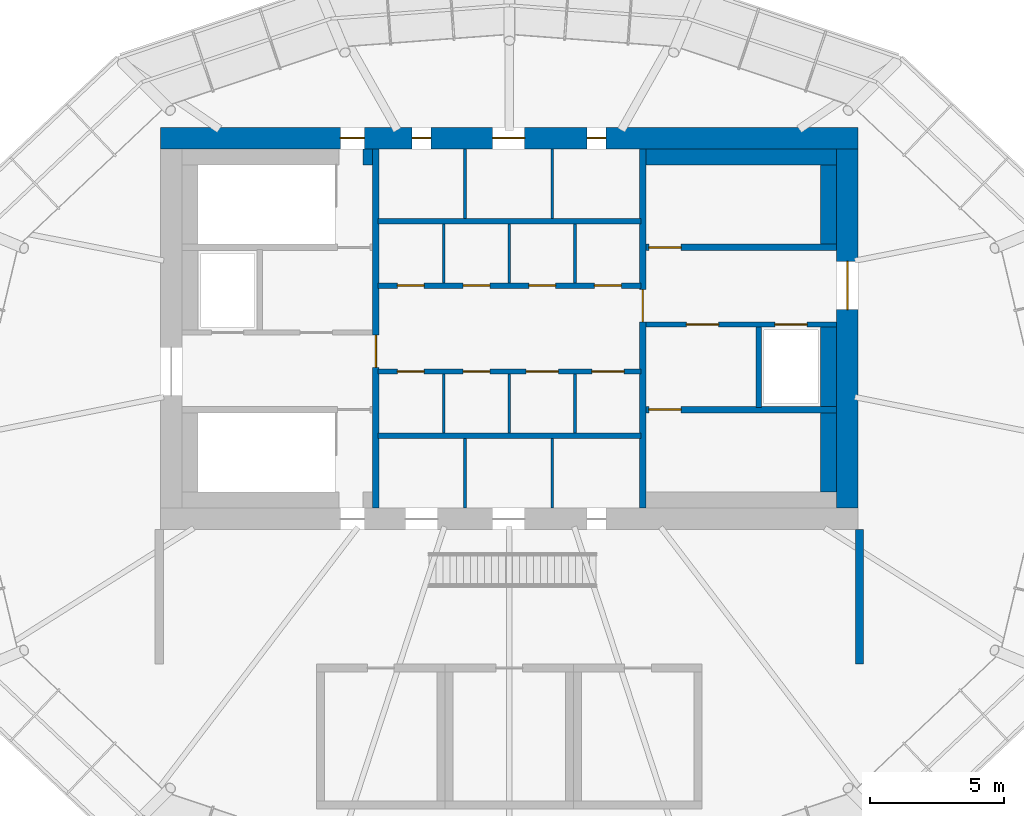
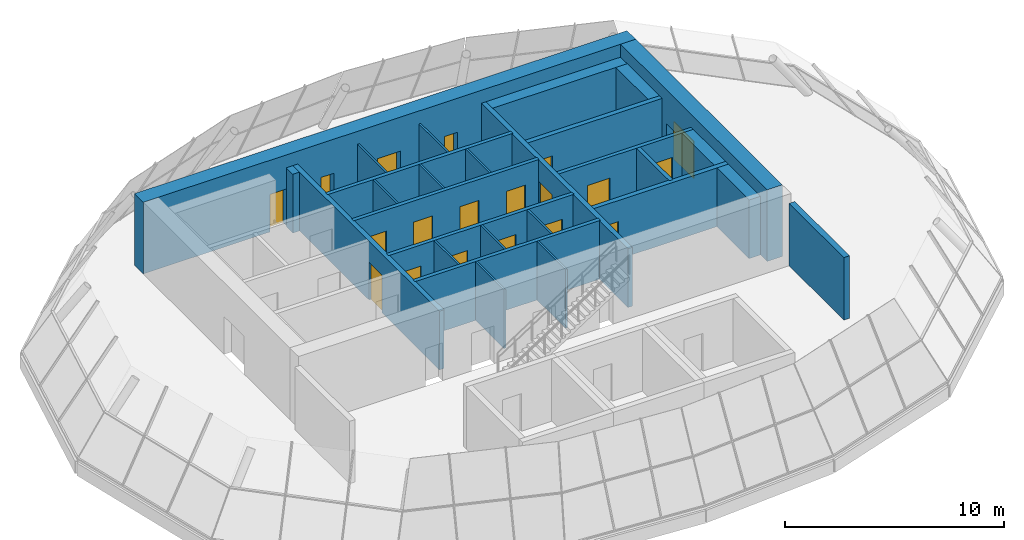
# One storey, part 6 of 8: 28 walls, 19 doors, 19 openings.
"""IFC4 building model written with IfcOpenShell, lengths in metres."""

from ifc_helpers import new_model, si_unit, direction, frame, frame_2d, origin, place, context, subcontext, project, spatial, rectangle, extrude, material, layer, layer_set, type_object, element, fill, save


model = new_model("IFC4")

# Units and contexts
model_context = context("Model", 3, precision=1e-05, world=origin(), true_north=direction((0.0, 1.0)))
body_context = subcontext(model_context, "Body", "Model", "MODEL_VIEW")
ifc_project = project(units=[si_unit("LENGTHUNIT", "METRE"), si_unit("AREAUNIT", "SQUARE_METRE"), si_unit("VOLUMEUNIT", "CUBIC_METRE"), si_unit("PLANEANGLEUNIT", "RADIAN"), si_unit("MASSUNIT", "GRAM", prefix="KILO")], contexts=[model_context])

# Site, building, storey
site_placement = place(None, origin())
site = spatial("IfcSite", under=ifc_project, at=site_placement, CompositionType="ELEMENT")
building_placement = place(site_placement, origin())
building = spatial("IfcBuilding", under=site, at=building_placement, Name="Rubra Terraces Tower", CompositionType="ELEMENT")
storey_placement = place(building_placement, frame((0.0, 0.0, 316.199951171875)))
storey = spatial("IfcBuildingStorey", under=building, at=storey_placement, Name="L78", CompositionType="ELEMENT", Elevation=316.199951171875)

# Wall, openings, doors
ifc_material_1 = material(Name="Concrete C50", Category="concrete")
ifc_layer_1 = layer(ifc_material_1, 0.800048828125)
ifc_layer_set_1 = layer_set([ifc_layer_1], Name="Concrete C50")
wall_type_1 = type_object("IfcWallType", Name="CORE WALL 800 C50", PredefinedType="SHEAR", material=ifc_layer_set_1)
wall_1_placement = place(storey_placement, frame((-13.0, 11.60009765625, 0.0), z_axis=(0.0, 0.0, 1.0), x_axis=(1.0, 0.0, 0.0)))
wall_1 = element("IfcWall", 1, at=wall_1_placement, inside=storey, type_object=wall_type_1, Name="CORE WALL N L78", PredefinedType="SHEAR", context=body_context, shape_type="SweptSolid", body=[
    extrude(rectangle(XDim=26.0, YDim=0.800048828125, at=frame_2d((13.0, 0.0))), origin(), (0.0, 0.0, 1.0), 4.0),
])
opening_1_placement = place(wall_1_placement, frame((9.375, 0.0, 0.0)))
opening_1 = element("IfcOpeningElement", 2, at=opening_1_placement, cuts=wall_1, Name="Opening L78.C24", PredefinedType="OPENING", context=body_context, shape_type="SweptSolid", body=[
    extrude(rectangle(XDim=0.699951171875, YDim=2.10009765625, at=frame_2d((0.35009765625, 1.050048828125))), frame((0.0, 0.409912109375, 0.0), z_axis=(0.0, -1.0, 0.0), x_axis=(1.0, 0.0, 0.0)), (0.0, 0.0, 1.0), 0.820068359375),
])
opening_2_placement = place(wall_1_placement, frame((12.375, 0.0, 0.0)))
opening_2 = element("IfcOpeningElement", 3, at=opening_2_placement, cuts=wall_1, Name="Opening L78.C25", PredefinedType="OPENING", context=body_context, shape_type="SweptSolid", body=[
    extrude(rectangle(XDim=1.199951171875, YDim=2.10009765625, at=frame_2d((0.60009765625, 1.050048828125))), frame((0.0, 0.409912109375, 0.0), z_axis=(0.0, -1.0, 0.0), x_axis=(1.0, 0.0, 0.0)), (0.0, 0.0, 1.0), 0.820068359375),
])
opening_3_placement = place(wall_1_placement, frame((15.89990234375, 0.0, 0.0)))
opening_3 = element("IfcOpeningElement", 4, at=opening_3_placement, cuts=wall_1, Name="Opening L78.C26", PredefinedType="OPENING", context=body_context, shape_type="SweptSolid", body=[
    extrude(rectangle(XDim=0.699951171875, YDim=2.10009765625, at=frame_2d((0.35009765625, 1.050048828125))), frame((0.0, 0.409912109375, 0.0), z_axis=(0.0, -1.0, 0.0), x_axis=(1.0, 0.0, 0.0)), (0.0, 0.0, 1.0), 0.820068359375),
])
opening_4_placement = place(wall_1_placement, frame((6.699951171875, 0.0, 0.0)))
opening_4 = element("IfcOpeningElement", 5, at=opening_4_placement, cuts=wall_1, Name="Opening L78.P05", PredefinedType="OPENING", context=body_context, shape_type="SweptSolid", body=[
    extrude(rectangle(XDim=0.89990234375, YDim=2.10009765625, at=frame_2d((0.449951171875, 1.050048828125))), frame((0.0, 0.409912109375, 0.0), z_axis=(0.0, -1.0, 0.0), x_axis=(1.0, 0.0, 0.0)), (0.0, 0.0, 1.0), 0.820068359375),
])
ifc_material_2 = material(Name="Painted steel", Category="steel")
door_type_1 = type_object("IfcDoorType", Name="Fire door 1200x2100 single", OperationType="NOTDEFINED", PredefinedType="DOOR", material=ifc_material_2)
door_1_placement = place(opening_2_placement, origin())
door_1 = element("IfcDoor", 6, at=door_1_placement, inside=storey, type_object=door_type_1, Name="Air handling plant room door", OperationType="SINGLE_SWING_LEFT", OverallHeight=2.10009765625, OverallWidth=1.199951171875, PredefinedType="DOOR", context=body_context, shape_type="SweptSolid", body=[
    extrude(rectangle(XDim=1.199951171875, YDim=2.10009765625, at=frame_2d((0.60009765625, 1.050048828125))), frame((0.0, 0.02490234375, 0.0), z_axis=(0.0, -1.0, 0.0), x_axis=(1.0, 0.0, 0.0)), (0.0, 0.0, 1.0), 0.050048828125),
])
fill(opening_2, door_1)
door_type_2 = type_object("IfcDoorType", Name="Fire door 900x2100 single", OperationType="NOTDEFINED", PredefinedType="DOOR", material=ifc_material_2)
door_2_placement = place(opening_4_placement, origin())
door_2 = element("IfcDoor", 7, at=door_2_placement, inside=storey, type_object=door_type_2, Name="Stair S2 door from the plant access passage", OperationType="SINGLE_SWING_LEFT", OverallHeight=2.10009765625, OverallWidth=0.89990234375, PredefinedType="DOOR", context=body_context, shape_type="SweptSolid", body=[
    extrude(rectangle(XDim=0.89990234375, YDim=2.10009765625, at=frame_2d((0.449951171875, 1.050048828125))), frame((0.0, 0.02490234375, 0.0), z_axis=(0.0, -1.0, 0.0), x_axis=(1.0, 0.0, 0.0)), (0.0, 0.0, 1.0), 0.050048828125),
])
fill(opening_4, door_2)
door_type_3 = type_object("IfcDoorType", Name="Riser access door 700x2100 single", OperationType="NOTDEFINED", PredefinedType="DOOR", material=ifc_material_2)
door_3_placement = place(opening_1_placement, origin())
door_3 = element("IfcDoor", 8, at=door_3_placement, inside=storey, type_object=door_type_3, Name="Telecoms room door", OperationType="SINGLE_SWING_RIGHT", OverallHeight=2.10009765625, OverallWidth=0.699951171875, PredefinedType="DOOR", context=body_context, shape_type="SweptSolid", body=[
    extrude(rectangle(XDim=0.699951171875, YDim=2.10009765625, at=frame_2d((0.35009765625, 1.050048828125))), frame((0.0, 0.02490234375, 0.0), z_axis=(0.0, -1.0, 0.0), x_axis=(1.0, 0.0, 0.0)), (0.0, 0.0, 1.0), 0.050048828125),
])
fill(opening_1, door_3)
door_4_placement = place(opening_3_placement, origin())
door_4 = element("IfcDoor", 9, at=door_4_placement, inside=storey, type_object=door_type_3, Name="Electrical riser room door", OperationType="SINGLE_SWING_RIGHT", OverallHeight=2.10009765625, OverallWidth=0.699951171875, PredefinedType="DOOR", context=body_context, shape_type="SweptSolid", body=[
    extrude(rectangle(XDim=0.699951171875, YDim=2.10009765625, at=frame_2d((0.35009765625, 1.050048828125))), frame((0.0, 0.02490234375, 0.0), z_axis=(0.0, -1.0, 0.0), x_axis=(1.0, 0.0, 0.0)), (0.0, 0.0, 1.0), 0.050048828125),
])
fill(opening_3, door_4)

# Wall, opening, door
wall_2_placement = place(storey_placement, frame((12.60009765625, -2.199951171875, 0.0), z_axis=(0.0, 0.0, 1.0), x_axis=(0.0, 1.0, 0.0)))
wall_2 = element("IfcWall", 10, at=wall_2_placement, inside=storey, type_object=wall_type_1, Name="CORE WALL E L78", PredefinedType="SHEAR", context=body_context, shape_type="SweptSolid", body=[
    extrude(rectangle(XDim=13.39990234375, YDim=0.800048828125, at=frame_2d((6.699951171875, 0.0))), origin(), (0.0, 0.0, 1.0), 4.0),
])
opening_5_placement = place(wall_2_placement, frame((7.39990234375, 0.0, 0.0)))
opening_5 = element("IfcOpeningElement", 11, at=opening_5_placement, cuts=wall_2, Name="Opening L78.C02", PredefinedType="OPENING", context=body_context, shape_type="SweptSolid", body=[
    extrude(rectangle(XDim=1.800048828125, YDim=2.10009765625, at=frame_2d((0.89990234375, 1.050048828125))), frame((0.0, 0.409912109375, 0.0), z_axis=(0.0, -1.0, 0.0), x_axis=(1.0, 0.0, 0.0)), (0.0, 0.0, 1.0), 0.820068359375),
])
door_type_4 = type_object("IfcDoorType", Name="Fire door 1800x2100 double", OperationType="NOTDEFINED", PredefinedType="DOOR", material=ifc_material_2)
door_5_placement = place(opening_5_placement, origin())
door_5 = element("IfcDoor", 12, at=door_5_placement, inside=storey, type_object=door_type_4, Name="Core entrance door FF2", OperationType="DOUBLE_DOOR_SINGLE_SWING", OverallHeight=2.10009765625, OverallWidth=1.800048828125, PredefinedType="DOOR", context=body_context, shape_type="SweptSolid", body=[
    extrude(rectangle(XDim=1.800048828125, YDim=2.10009765625, at=frame_2d((0.89990234375, 1.050048828125))), frame((0.0, 0.02490234375, 0.0), z_axis=(0.0, -1.0, 0.0), x_axis=(1.0, 0.0, 0.0)), (0.0, 0.0, 1.0), 0.050048828125),
])
fill(opening_5, door_5)

# Walls
ifc_material_3 = material(Name="Concrete C40", Category="concrete")
ifc_layer_2 = layer(ifc_material_3, 0.35009765625)
ifc_layer_set_2 = layer_set([ifc_layer_2], Name="Concrete C40")
wall_type_2 = type_object("IfcWallType", Name="Core lining wall 350 concrete", PredefinedType="SOLIDWALL", material=ifc_layer_set_2)
wall_3_placement = place(storey_placement, frame((-5.27490234375, 10.60009765625, 0.0), z_axis=(0.0, 0.0, 1.0), x_axis=(0.0, 1.0, 0.0)))
element("IfcWall", 13, at=wall_3_placement, inside=storey, type_object=wall_type_2, Name="CORE LINING WALL L78", PredefinedType="SOLIDWALL", context=body_context, shape_type="SweptSolid", body=[
    extrude(rectangle(XDim=0.599853515625, YDim=0.35009765625, at=frame_2d((0.2998046875, 0.0))), origin(), (0.0, 0.0, 1.0), 3.280029296875),
])
ifc_layer_3 = layer(ifc_material_3, 0.60009765625)
ifc_layer_set_3 = layer_set([ifc_layer_3], Name="Concrete C40")
wall_type_3 = type_object("IfcWallType", Name="Core lining wall 600 concrete", PredefinedType="SOLIDWALL", material=ifc_layer_set_3)
wall_4_placement = place(storey_placement, frame((12.199951171875, 10.89990234375, 0.0), z_axis=(0.0, 0.0, 1.0), x_axis=(-1.0, 0.0, 0.0)))
element("IfcWall", 14, at=wall_4_placement, inside=storey, type_object=wall_type_3, Name="CORE LINING WALL L78", PredefinedType="SOLIDWALL", context=body_context, shape_type="SweptSolid", body=[
    extrude(rectangle(XDim=7.099853515625, YDim=0.60009765625, at=frame_2d((3.5498046875, 0.0))), origin(), (0.0, 0.0, 1.0), 3.280029296875),
])
wall_5_placement = place(storey_placement, frame((11.89990234375, 10.60009765625, 0.0), z_axis=(0.0, 0.0, 1.0), x_axis=(0.0, -1.0, 0.0)))
element("IfcWall", 15, at=wall_5_placement, inside=storey, type_object=wall_type_3, Name="CORE LINING WALL L78", PredefinedType="SOLIDWALL", context=body_context, shape_type="SweptSolid", body=[
    extrude(rectangle(XDim=2.9501953125, YDim=0.60009765625, at=frame_2d((1.47509765625, 0.0))), origin(), (0.0, 0.0, 1.0), 3.280029296875),
])
wall_6_placement = place(storey_placement, frame((11.89990234375, 4.550048828125, 0.0), z_axis=(0.0, 0.0, 1.0), x_axis=(0.0, -1.0, 0.0)))
element("IfcWall", 16, at=wall_6_placement, inside=storey, type_object=wall_type_3, Name="CORE LINING WALL L78", PredefinedType="SOLIDWALL", context=body_context, shape_type="SweptSolid", body=[
    extrude(rectangle(XDim=3.0, YDim=0.60009765625, at=frame_2d((1.5, 0.0))), origin(), (0.0, 0.0, 1.0), 3.280029296875),
])
wall_7_placement = place(storey_placement, frame((11.89990234375, 1.35009765625, 0.0), z_axis=(0.0, 0.0, 1.0), x_axis=(0.0, -1.0, 0.0)))
element("IfcWall", 17, at=wall_7_placement, inside=storey, type_object=wall_type_3, Name="CORE LINING WALL L78", PredefinedType="SOLIDWALL", context=body_context, shape_type="SweptSolid", body=[
    extrude(rectangle(XDim=2.9501953125, YDim=0.60009765625, at=frame_2d((1.47509765625, 0.0))), origin(), (0.0, 0.0, 1.0), 3.280029296875),
])

# Wall, openings, doors
ifc_material_4 = material(Name="Concrete C30", Category="concrete")
ifc_layer_4 = layer(ifc_material_4, 0.199951171875)
ifc_layer_set_4 = layer_set([ifc_layer_4], Name="Concrete C30")
wall_type_4 = type_object("IfcWallType", Name="Core wall 200 concrete", PredefinedType="SOLIDWALL", material=ifc_layer_set_4)
wall_8_placement = place(storey_placement, frame((12.199951171875, 4.64990234375, 0.0), z_axis=(0.0, 0.0, 1.0), x_axis=(-1.0, 0.0, 0.0)))
wall_8 = element("IfcWall", 18, at=wall_8_placement, inside=storey, type_object=wall_type_4, Name="STAIR WALL L78", PredefinedType="SOLIDWALL", context=body_context, shape_type="SweptSolid", body=[
    extrude(rectangle(XDim=7.099853515625, YDim=0.199951171875, at=frame_2d((3.5498046875, 0.0))), origin(), (0.0, 0.0, 1.0), 3.280029296875),
])
opening_6_placement = place(wall_8_placement, frame((4.39990234375, 0.0, 0.0)))
opening_6 = element("IfcOpeningElement", 19, at=opening_6_placement, cuts=wall_8, Name="Opening L78.C06", PredefinedType="OPENING", context=body_context, shape_type="SweptSolid", body=[
    extrude(rectangle(XDim=1.199951171875, YDim=2.10009765625, at=frame_2d((0.60009765625, 1.050048828125))), frame((0.0, 0.10986328125, 0.0), z_axis=(0.0, -1.0, 0.0), x_axis=(1.0, 0.0, 0.0)), (0.0, 0.0, 1.0), 0.219970703125),
])
opening_7_placement = place(wall_8_placement, frame((1.10009765625, 0.0, 0.0)))
opening_7 = element("IfcOpeningElement", 20, at=opening_7_placement, cuts=wall_8, Name="Opening L78.C12", PredefinedType="OPENING", context=body_context, shape_type="SweptSolid", body=[
    extrude(rectangle(XDim=1.199951171875, YDim=2.10009765625, at=frame_2d((0.60009765625, 1.050048828125))), frame((0.0, 0.10986328125, 0.0), z_axis=(0.0, -1.0, 0.0), x_axis=(1.0, 0.0, 0.0)), (0.0, 0.0, 1.0), 0.219970703125),
])
door_6_placement = place(opening_6_placement, origin())
door_6 = element("IfcDoor", 21, at=door_6_placement, inside=storey, type_object=door_type_1, Name="Stair vestibule door S4", OperationType="SINGLE_SWING_RIGHT", OverallHeight=2.10009765625, OverallWidth=1.199951171875, PredefinedType="DOOR", context=body_context, shape_type="SweptSolid", body=[
    extrude(rectangle(XDim=1.199951171875, YDim=2.10009765625, at=frame_2d((0.60009765625, 1.050048828125))), frame((0.0, 0.02490234375, 0.0), z_axis=(0.0, -1.0, 0.0), x_axis=(1.0, 0.0, 0.0)), (0.0, 0.0, 1.0), 0.050048828125),
])
fill(opening_6, door_6)
ifc_material_5 = material(Name="Stainless steel", Category="steel")
door_type_5 = type_object("IfcDoorType", Name="Lift landing door 1200x2100", OperationType="NOTDEFINED", PredefinedType="DOOR", material=ifc_material_5)
door_7_placement = place(opening_7_placement, origin())
door_7 = element("IfcDoor", 22, at=door_7_placement, inside=storey, type_object=door_type_5, Name="Landing door FF2", OperationType="SLIDING_TO_RIGHT", OverallHeight=2.10009765625, OverallWidth=1.199951171875, PredefinedType="DOOR", context=body_context, shape_type="SweptSolid", body=[
    extrude(rectangle(XDim=1.199951171875, YDim=2.10009765625, at=frame_2d((0.60009765625, 1.050048828125))), frame((0.0, 0.02490234375, 0.0), z_axis=(0.0, -1.0, 0.0), x_axis=(1.0, 0.0, 0.0)), (0.0, 0.0, 1.0), 0.050048828125),
])
fill(opening_7, door_7)

# Walls
wall_9_placement = place(storey_placement, frame((9.300048828125, 4.550048828125, 0.0), z_axis=(0.0, 0.0, 1.0), x_axis=(0.0, -1.0, 0.0)))
element("IfcWall", 23, at=wall_9_placement, inside=storey, type_object=wall_type_4, Name="STAIR WALL L78", PredefinedType="SOLIDWALL", context=body_context, shape_type="SweptSolid", body=[
    extrude(rectangle(XDim=3.0, YDim=0.199951171875, at=frame_2d((1.5, 0.0))), origin(), (0.0, 0.0, 1.0), 3.280029296875),
])
wall_10_placement = place(storey_placement, frame((-4.89990234375, 0.5, 0.0), z_axis=(0.0, 0.0, 1.0), x_axis=(1.0, 0.0, 0.0)))
element("IfcWall", 24, at=wall_10_placement, inside=storey, type_object=wall_type_4, Name="LIFT SHAFT WALL L78", PredefinedType="SOLIDWALL", context=body_context, shape_type="SweptSolid", body=[
    extrude(rectangle(XDim=9.7998046875, YDim=0.199951171875, at=frame_2d((4.89990234375, 0.0))), origin(), (0.0, 0.0, 1.0), 3.280029296875),
])

# Wall, openings, doors
wall_11_placement = place(storey_placement, frame((-4.89990234375, 2.89990234375, 0.0), z_axis=(0.0, 0.0, 1.0), x_axis=(1.0, 0.0, 0.0)))
wall_11 = element("IfcWall", 25, at=wall_11_placement, inside=storey, type_object=wall_type_4, Name="LIFT SHAFT WALL L78", PredefinedType="SOLIDWALL", context=body_context, shape_type="SweptSolid", body=[
    extrude(rectangle(XDim=9.7998046875, YDim=0.199951171875, at=frame_2d((4.89990234375, 0.0))), origin(), (0.0, 0.0, 1.0), 3.280029296875),
])
opening_8_placement = place(wall_11_placement, frame((0.72509765625, 0.0, 0.0)))
opening_8 = element("IfcOpeningElement", 26, at=opening_8_placement, cuts=wall_11, Name="Opening L78.C13", PredefinedType="OPENING", context=body_context, shape_type="SweptSolid", body=[
    extrude(rectangle(XDim=1.0, YDim=2.10009765625, at=frame_2d((0.5, 1.050048828125))), frame((0.0, 0.10986328125, 0.0), z_axis=(0.0, -1.0, 0.0), x_axis=(1.0, 0.0, 0.0)), (0.0, 0.0, 1.0), 0.219970703125),
])
opening_9_placement = place(wall_11_placement, frame((3.175048828125, 0.0, 0.0)))
opening_9 = element("IfcOpeningElement", 27, at=opening_9_placement, cuts=wall_11, Name="Opening L78.C14", PredefinedType="OPENING", context=body_context, shape_type="SweptSolid", body=[
    extrude(rectangle(XDim=1.0, YDim=2.10009765625, at=frame_2d((0.5, 1.050048828125))), frame((0.0, 0.10986328125, 0.0), z_axis=(0.0, -1.0, 0.0), x_axis=(1.0, 0.0, 0.0)), (0.0, 0.0, 1.0), 0.219970703125),
])
opening_10_placement = place(wall_11_placement, frame((5.52490234375, 0.0, 0.0)))
opening_10 = element("IfcOpeningElement", 28, at=opening_10_placement, cuts=wall_11, Name="Opening L78.C15", PredefinedType="OPENING", context=body_context, shape_type="SweptSolid", body=[
    extrude(rectangle(XDim=1.199951171875, YDim=2.10009765625, at=frame_2d((0.60009765625, 1.050048828125))), frame((0.0, 0.10986328125, 0.0), z_axis=(0.0, -1.0, 0.0), x_axis=(1.0, 0.0, 0.0)), (0.0, 0.0, 1.0), 0.219970703125),
])
opening_11_placement = place(wall_11_placement, frame((7.97509765625, 0.0, 0.0)))
opening_11 = element("IfcOpeningElement", 29, at=opening_11_placement, cuts=wall_11, Name="Opening L78.C16", PredefinedType="OPENING", context=body_context, shape_type="SweptSolid", body=[
    extrude(rectangle(XDim=1.199951171875, YDim=2.10009765625, at=frame_2d((0.60009765625, 1.050048828125))), frame((0.0, 0.10986328125, 0.0), z_axis=(0.0, -1.0, 0.0), x_axis=(1.0, 0.0, 0.0)), (0.0, 0.0, 1.0), 0.219970703125),
])
door_type_6 = type_object("IfcDoorType", Name="Fire door 1000x2100 single", OperationType="NOTDEFINED", PredefinedType="DOOR", material=ifc_material_2)
door_8_placement = place(opening_8_placement, origin())
door_8 = element("IfcDoor", 30, at=door_8_placement, inside=storey, type_object=door_type_6, Name="Lift motor room door", OperationType="SINGLE_SWING_LEFT", OverallHeight=2.10009765625, OverallWidth=1.0, PredefinedType="DOOR", context=body_context, shape_type="SweptSolid", body=[
    extrude(rectangle(XDim=1.0, YDim=2.10009765625, at=frame_2d((0.5, 1.050048828125))), frame((0.0, 0.02490234375, 0.0), z_axis=(0.0, -1.0, 0.0), x_axis=(1.0, 0.0, 0.0)), (0.0, 0.0, 1.0), 0.050048828125),
])
fill(opening_8, door_8)
door_9_placement = place(opening_9_placement, origin())
door_9 = element("IfcDoor", 31, at=door_9_placement, inside=storey, type_object=door_type_6, Name="Lift motor room door", OperationType="SINGLE_SWING_RIGHT", OverallHeight=2.10009765625, OverallWidth=1.0, PredefinedType="DOOR", context=body_context, shape_type="SweptSolid", body=[
    extrude(rectangle(XDim=1.0, YDim=2.10009765625, at=frame_2d((0.5, 1.050048828125))), frame((0.0, 0.02490234375, 0.0), z_axis=(0.0, -1.0, 0.0), x_axis=(1.0, 0.0, 0.0)), (0.0, 0.0, 1.0), 0.050048828125),
])
fill(opening_9, door_9)
door_10_placement = place(opening_10_placement, origin())
door_10 = element("IfcDoor", 32, at=door_10_placement, inside=storey, type_object=door_type_1, Name="Air handling plant room door", OperationType="SINGLE_SWING_LEFT", OverallHeight=2.10009765625, OverallWidth=1.199951171875, PredefinedType="DOOR", context=body_context, shape_type="SweptSolid", body=[
    extrude(rectangle(XDim=1.199951171875, YDim=2.10009765625, at=frame_2d((0.60009765625, 1.050048828125))), frame((0.0, 0.02490234375, 0.0), z_axis=(0.0, -1.0, 0.0), x_axis=(1.0, 0.0, 0.0)), (0.0, 0.0, 1.0), 0.050048828125),
])
fill(opening_10, door_10)
door_11_placement = place(opening_11_placement, origin())
door_11 = element("IfcDoor", 33, at=door_11_placement, inside=storey, type_object=door_type_1, Name="Air handling plant room door", OperationType="SINGLE_SWING_RIGHT", OverallHeight=2.10009765625, OverallWidth=1.199951171875, PredefinedType="DOOR", context=body_context, shape_type="SweptSolid", body=[
    extrude(rectangle(XDim=1.199951171875, YDim=2.10009765625, at=frame_2d((0.60009765625, 1.050048828125))), frame((0.0, 0.02490234375, 0.0), z_axis=(0.0, -1.0, 0.0), x_axis=(1.0, 0.0, 0.0)), (0.0, 0.0, 1.0), 0.050048828125),
])
fill(opening_11, door_11)

wall_12_placement = place(storey_placement, frame((-4.89990234375, 6.10009765625, 0.0), z_axis=(0.0, 0.0, 1.0), x_axis=(1.0, 0.0, 0.0)))
wall_12 = element("IfcWall", 34, at=wall_12_placement, inside=storey, type_object=wall_type_4, Name="LIFT SHAFT WALL L78", PredefinedType="SOLIDWALL", context=body_context, shape_type="SweptSolid", body=[
    extrude(rectangle(XDim=9.7998046875, YDim=0.199951171875, at=frame_2d((4.89990234375, 0.0))), origin(), (0.0, 0.0, 1.0), 3.280029296875),
])
opening_12_placement = place(wall_12_placement, frame((0.72509765625, 0.0, 0.0)))
opening_12 = element("IfcOpeningElement", 35, at=opening_12_placement, cuts=wall_12, Name="Opening L78.C17", PredefinedType="OPENING", context=body_context, shape_type="SweptSolid", body=[
    extrude(rectangle(XDim=1.0, YDim=2.10009765625, at=frame_2d((0.5, 1.050048828125))), frame((0.0, 0.10986328125, 0.0), z_axis=(0.0, -1.0, 0.0), x_axis=(1.0, 0.0, 0.0)), (0.0, 0.0, 1.0), 0.219970703125),
])
opening_13_placement = place(wall_12_placement, frame((3.175048828125, 0.0, 0.0)))
opening_13 = element("IfcOpeningElement", 36, at=opening_13_placement, cuts=wall_12, Name="Opening L78.C18", PredefinedType="OPENING", context=body_context, shape_type="SweptSolid", body=[
    extrude(rectangle(XDim=1.0, YDim=2.10009765625, at=frame_2d((0.5, 1.050048828125))), frame((0.0, 0.10986328125, 0.0), z_axis=(0.0, -1.0, 0.0), x_axis=(1.0, 0.0, 0.0)), (0.0, 0.0, 1.0), 0.219970703125),
])
opening_14_placement = place(wall_12_placement, frame((5.625, 0.0, 0.0)))
opening_14 = element("IfcOpeningElement", 37, at=opening_14_placement, cuts=wall_12, Name="Opening L78.C19", PredefinedType="OPENING", context=body_context, shape_type="SweptSolid", body=[
    extrude(rectangle(XDim=1.0, YDim=2.10009765625, at=frame_2d((0.5, 1.050048828125))), frame((0.0, 0.10986328125, 0.0), z_axis=(0.0, -1.0, 0.0), x_axis=(1.0, 0.0, 0.0)), (0.0, 0.0, 1.0), 0.219970703125),
])
opening_15_placement = place(wall_12_placement, frame((8.074951171875, 0.0, 0.0)))
opening_15 = element("IfcOpeningElement", 38, at=opening_15_placement, cuts=wall_12, Name="Opening L78.C20", PredefinedType="OPENING", context=body_context, shape_type="SweptSolid", body=[
    extrude(rectangle(XDim=1.0, YDim=2.10009765625, at=frame_2d((0.5, 1.050048828125))), frame((0.0, 0.10986328125, 0.0), z_axis=(0.0, -1.0, 0.0), x_axis=(1.0, 0.0, 0.0)), (0.0, 0.0, 1.0), 0.219970703125),
])
door_12_placement = place(opening_12_placement, origin())
door_12 = element("IfcDoor", 39, at=door_12_placement, inside=storey, type_object=door_type_6, Name="Lift motor room door", OperationType="SINGLE_SWING_LEFT", OverallHeight=2.10009765625, OverallWidth=1.0, PredefinedType="DOOR", context=body_context, shape_type="SweptSolid", body=[
    extrude(rectangle(XDim=1.0, YDim=2.10009765625, at=frame_2d((0.5, 1.050048828125))), frame((0.0, 0.02490234375, 0.0), z_axis=(0.0, -1.0, 0.0), x_axis=(1.0, 0.0, 0.0)), (0.0, 0.0, 1.0), 0.050048828125),
])
fill(opening_12, door_12)
door_13_placement = place(opening_13_placement, origin())
door_13 = element("IfcDoor", 40, at=door_13_placement, inside=storey, type_object=door_type_6, Name="Lift motor room door", OperationType="SINGLE_SWING_RIGHT", OverallHeight=2.10009765625, OverallWidth=1.0, PredefinedType="DOOR", context=body_context, shape_type="SweptSolid", body=[
    extrude(rectangle(XDim=1.0, YDim=2.10009765625, at=frame_2d((0.5, 1.050048828125))), frame((0.0, 0.02490234375, 0.0), z_axis=(0.0, -1.0, 0.0), x_axis=(1.0, 0.0, 0.0)), (0.0, 0.0, 1.0), 0.050048828125),
])
fill(opening_13, door_13)
door_14_placement = place(opening_14_placement, origin())
door_14 = element("IfcDoor", 41, at=door_14_placement, inside=storey, type_object=door_type_6, Name="Lift motor room door", OperationType="SINGLE_SWING_LEFT", OverallHeight=2.10009765625, OverallWidth=1.0, PredefinedType="DOOR", context=body_context, shape_type="SweptSolid", body=[
    extrude(rectangle(XDim=1.0, YDim=2.10009765625, at=frame_2d((0.5, 1.050048828125))), frame((0.0, 0.02490234375, 0.0), z_axis=(0.0, -1.0, 0.0), x_axis=(1.0, 0.0, 0.0)), (0.0, 0.0, 1.0), 0.050048828125),
])
fill(opening_14, door_14)
door_15_placement = place(opening_15_placement, origin())
door_15 = element("IfcDoor", 42, at=door_15_placement, inside=storey, type_object=door_type_6, Name="Lift motor room door", OperationType="SINGLE_SWING_RIGHT", OverallHeight=2.10009765625, OverallWidth=1.0, PredefinedType="DOOR", context=body_context, shape_type="SweptSolid", body=[
    extrude(rectangle(XDim=1.0, YDim=2.10009765625, at=frame_2d((0.5, 1.050048828125))), frame((0.0, 0.02490234375, 0.0), z_axis=(0.0, -1.0, 0.0), x_axis=(1.0, 0.0, 0.0)), (0.0, 0.0, 1.0), 0.050048828125),
])
fill(opening_15, door_15)

# Walls
wall_13_placement = place(storey_placement, frame((-4.89990234375, 8.5, 0.0), z_axis=(0.0, 0.0, 1.0), x_axis=(1.0, 0.0, 0.0)))
element("IfcWall", 43, at=wall_13_placement, inside=storey, type_object=wall_type_4, Name="LIFT SHAFT WALL L78", PredefinedType="SOLIDWALL", context=body_context, shape_type="SweptSolid", body=[
    extrude(rectangle(XDim=9.7998046875, YDim=0.199951171875, at=frame_2d((4.89990234375, 0.0))), origin(), (0.0, 0.0, 1.0), 3.280029296875),
])
ifc_material_6 = material(Name="Blockwork", Category="masonry")
ifc_layer_5 = layer(ifc_material_6, 0.300048828125)
ifc_layer_set_5 = layer_set([ifc_layer_5], Name="Blockwork")
wall_type_5 = type_object("IfcWallType", Name="Plant wall 300 blockwork", PredefinedType="SOLIDWALL", material=ifc_layer_set_5)
wall_14_placement = place(storey_placement, frame((13.050048828125, -8.0, 0.0), z_axis=(0.0, 0.0, 1.0), x_axis=(0.0, 1.0, 0.0)))
element("IfcWall", 44, at=wall_14_placement, inside=storey, type_object=wall_type_5, Name="PLANT CORRIDOR WALL L78", PredefinedType="SOLIDWALL", context=body_context, shape_type="SweptSolid", body=[
    extrude(rectangle(XDim=5.0, YDim=0.300048828125, at=frame_2d((2.5, 0.0))), origin(), (0.0, 0.0, 1.0), 3.484130859375),
])
ifc_layer_6 = layer(ifc_material_6, 0.10009765625)
ifc_layer_set_6 = layer_set([ifc_layer_6], Name="Blockwork")
wall_type_6 = type_object("IfcWallType", Name="Service partition 100 blockwork", PredefinedType="PARTITIONING", material=ifc_layer_set_6)
for number, where, z_axis, x_axis, name in (
    (45, (-2.449951171875, 0.60009765625, 0.0), (0.0, 0.0, 1.0), (0.0, 1.0, 0.0), "LIFT SHAFT WALL L78"),
    (46, (0.0, 0.60009765625, 0.0), (0.0, 0.0, 1.0), (0.0, 1.0, 0.0), "LIFT SHAFT WALL L78"),
    (47, (2.449951171875, 0.60009765625, 0.0), (0.0, 0.0, 1.0), (0.0, 1.0, 0.0), "LIFT SHAFT WALL L78"),
    (48, (-2.449951171875, 6.199951171875, 0.0), (0.0, 0.0, 1.0), (0.0, 1.0, 0.0), "LIFT SHAFT WALL L78"),
    (49, (0.0, 6.199951171875, 0.0), (0.0, 0.0, 1.0), (0.0, 1.0, 0.0), "LIFT SHAFT WALL L78"),
    (50, (2.449951171875, 6.199951171875, 0.0), (0.0, 0.0, 1.0), (0.0, 1.0, 0.0), "LIFT SHAFT WALL L78"),
):
    element("IfcWall", number, at=place(storey_placement, frame(where, z_axis=z_axis, x_axis=x_axis)), inside=storey, type_object=wall_type_6, Name=name, PredefinedType="PARTITIONING", context=body_context, shape_type="SweptSolid", body=[
        extrude(rectangle(XDim=2.199951171875, YDim=0.10009765625, at=frame_2d((1.10009765625, 0.0))), origin(), (0.0, 0.0, 1.0), 3.280029296875),
    ])
for number, where, z_axis, x_axis, name in (
    (51, (-1.64990234375, -2.199951171875, 0.0), (0.0, 0.0, 1.0), (0.0, 1.0, 0.0), "SERVICE ROOM PARTITION L78"),
    (52, (1.60009765625, -2.199951171875, 0.0), (0.0, 0.0, 1.0), (0.0, 1.0, 0.0), "SERVICE ROOM PARTITION L78"),
    (53, (-1.64990234375, 8.60009765625, 0.0), (0.0, 0.0, 1.0), (0.0, 1.0, 0.0), "SERVICE ROOM PARTITION L78"),
    (54, (1.60009765625, 8.60009765625, 0.0), (0.0, 0.0, 1.0), (0.0, 1.0, 0.0), "SERVICE ROOM PARTITION L78"),
):
    element("IfcWall", number, at=place(storey_placement, frame(where, z_axis=z_axis, x_axis=x_axis)), inside=storey, type_object=wall_type_6, Name=name, PredefinedType="PARTITIONING", context=body_context, shape_type="SweptSolid", body=[
        extrude(rectangle(XDim=2.599853515625, YDim=0.10009765625, at=frame_2d((1.2998046875, 0.0))), origin(), (0.0, 0.0, 1.0), 3.280029296875),
    ])

# Wall, opening, door
ifc_layer_7 = layer(ifc_material_3, 0.25)
ifc_layer_set_7 = layer_set([ifc_layer_7], Name="Concrete C40")
wall_type_7 = type_object("IfcWallType", Name="Stair enclosure wall 250 concrete", PredefinedType="SOLIDWALL", material=ifc_layer_set_7)
wall_15_placement = place(storey_placement, frame((12.199951171875, 7.52490234375, 0.0), z_axis=(0.0, 0.0, 1.0), x_axis=(-1.0, 0.0, 0.0)))
wall_15 = element("IfcWall", 55, at=wall_15_placement, inside=storey, type_object=wall_type_7, Name="STAIR WALL L78", PredefinedType="SOLIDWALL", context=body_context, shape_type="SweptSolid", body=[
    extrude(rectangle(XDim=7.099853515625, YDim=0.25, at=frame_2d((3.5498046875, 0.0))), origin(), (0.0, 0.0, 1.0), 3.280029296875),
])
opening_16_placement = place(wall_15_placement, frame((5.800048828125, 0.0, 0.0)))
opening_16 = element("IfcOpeningElement", 56, at=opening_16_placement, cuts=wall_15, Name="Opening L78.C08", PredefinedType="OPENING", context=body_context, shape_type="SweptSolid", body=[
    extrude(rectangle(XDim=1.199951171875, YDim=2.10009765625, at=frame_2d((0.60009765625, 1.050048828125))), frame((0.0, 0.135009765625, 0.0), z_axis=(0.0, -1.0, 0.0), x_axis=(1.0, 0.0, 0.0)), (0.0, 0.0, 1.0), 0.27001953125),
])
door_16_placement = place(opening_16_placement, origin())
door_16 = element("IfcDoor", 57, at=door_16_placement, inside=storey, type_object=door_type_1, Name="Plant room door", OperationType="SINGLE_SWING_RIGHT", OverallHeight=2.10009765625, OverallWidth=1.199951171875, PredefinedType="DOOR", context=body_context, shape_type="SweptSolid", body=[
    extrude(rectangle(XDim=1.199951171875, YDim=2.10009765625, at=frame_2d((0.60009765625, 1.050048828125))), frame((0.0, 0.02490234375, 0.0), z_axis=(0.0, -1.0, 0.0), x_axis=(1.0, 0.0, 0.0)), (0.0, 0.0, 1.0), 0.050048828125),
])
fill(opening_16, door_16)

wall_16_placement = place(storey_placement, frame((12.199951171875, 1.47509765625, 0.0), z_axis=(0.0, 0.0, 1.0), x_axis=(-1.0, 0.0, 0.0)))
wall_16 = element("IfcWall", 58, at=wall_16_placement, inside=storey, type_object=wall_type_7, Name="STAIR WALL L78", PredefinedType="SOLIDWALL", context=body_context, shape_type="SweptSolid", body=[
    extrude(rectangle(XDim=7.099853515625, YDim=0.25, at=frame_2d((3.5498046875, 0.0))), origin(), (0.0, 0.0, 1.0), 3.280029296875),
])
opening_17_placement = place(wall_16_placement, frame((5.800048828125, 0.0, 0.0)))
opening_17 = element("IfcOpeningElement", 59, at=opening_17_placement, cuts=wall_16, Name="Opening L78.C10", PredefinedType="OPENING", context=body_context, shape_type="SweptSolid", body=[
    extrude(rectangle(XDim=1.199951171875, YDim=2.10009765625, at=frame_2d((0.60009765625, 1.050048828125))), frame((0.0, 0.135009765625, 0.0), z_axis=(0.0, -1.0, 0.0), x_axis=(1.0, 0.0, 0.0)), (0.0, 0.0, 1.0), 0.27001953125),
])
door_17_placement = place(opening_17_placement, origin())
door_17 = element("IfcDoor", 60, at=door_17_placement, inside=storey, type_object=door_type_1, Name="Plant room door", OperationType="SINGLE_SWING_RIGHT", OverallHeight=2.10009765625, OverallWidth=1.199951171875, PredefinedType="DOOR", context=body_context, shape_type="SweptSolid", body=[
    extrude(rectangle(XDim=1.199951171875, YDim=2.10009765625, at=frame_2d((0.60009765625, 1.050048828125))), frame((0.0, 0.02490234375, 0.0), z_axis=(0.0, -1.0, 0.0), x_axis=(1.0, 0.0, 0.0)), (0.0, 0.0, 1.0), 0.050048828125),
])
fill(opening_17, door_17)

wall_17_placement = place(storey_placement, frame((-4.97509765625, -2.199951171875, 0.0), z_axis=(0.0, 0.0, 1.0), x_axis=(0.0, 1.0, 0.0)))
wall_17 = element("IfcWall", 61, at=wall_17_placement, inside=storey, type_object=wall_type_7, Name="CORE LOBBY WALL L78", PredefinedType="SOLIDWALL", context=body_context, shape_type="SweptSolid", body=[
    extrude(rectangle(XDim=13.39990234375, YDim=0.25, at=frame_2d((6.699951171875, 0.0))), origin(), (0.0, 0.0, 1.0), 3.280029296875),
])
opening_18_placement = place(wall_17_placement, frame((5.25, 0.0, 0.0)))
opening_18 = element("IfcOpeningElement", 62, at=opening_18_placement, cuts=wall_17, Name="Opening L78.C03", PredefinedType="OPENING", context=body_context, shape_type="SweptSolid", body=[
    extrude(rectangle(XDim=1.199951171875, YDim=2.10009765625, at=frame_2d((0.60009765625, 1.050048828125))), frame((0.0, 0.135009765625, 0.0), z_axis=(0.0, -1.0, 0.0), x_axis=(1.0, 0.0, 0.0)), (0.0, 0.0, 1.0), 0.27001953125),
])
door_18_placement = place(opening_18_placement, origin())
door_18 = element("IfcDoor", 63, at=door_18_placement, inside=storey, type_object=door_type_1, Name="Firefighting lobby door FF1", OperationType="SINGLE_SWING_LEFT", OverallHeight=2.10009765625, OverallWidth=1.199951171875, PredefinedType="DOOR", context=body_context, shape_type="SweptSolid", body=[
    extrude(rectangle(XDim=1.199951171875, YDim=2.10009765625, at=frame_2d((0.60009765625, 1.050048828125))), frame((0.0, 0.02490234375, 0.0), z_axis=(0.0, -1.0, 0.0), x_axis=(1.0, 0.0, 0.0)), (0.0, 0.0, 1.0), 0.050048828125),
])
fill(opening_18, door_18)

wall_18_placement = place(storey_placement, frame((4.97509765625, 11.199951171875, 0.0), z_axis=(0.0, 0.0, 1.0), x_axis=(0.0, -1.0, 0.0)))
wall_18 = element("IfcWall", 64, at=wall_18_placement, inside=storey, type_object=wall_type_7, Name="CORE LOBBY WALL L78", PredefinedType="SOLIDWALL", context=body_context, shape_type="SweptSolid", body=[
    extrude(rectangle(XDim=13.39990234375, YDim=0.25, at=frame_2d((6.699951171875, 0.0))), origin(), (0.0, 0.0, 1.0), 3.280029296875),
])
opening_19_placement = place(wall_18_placement, frame((5.25, 0.0, 0.0)))
opening_19 = element("IfcOpeningElement", 65, at=opening_19_placement, cuts=wall_18, Name="Opening L78.C04", PredefinedType="OPENING", context=body_context, shape_type="SweptSolid", body=[
    extrude(rectangle(XDim=1.199951171875, YDim=2.10009765625, at=frame_2d((0.60009765625, 1.050048828125))), frame((0.0, 0.135009765625, 0.0), z_axis=(0.0, -1.0, 0.0), x_axis=(1.0, 0.0, 0.0)), (0.0, 0.0, 1.0), 0.27001953125),
])
door_19_placement = place(opening_19_placement, origin())
door_19 = element("IfcDoor", 66, at=door_19_placement, inside=storey, type_object=door_type_1, Name="Firefighting lobby door FF2", OperationType="SINGLE_SWING_RIGHT", OverallHeight=2.10009765625, OverallWidth=1.199951171875, PredefinedType="DOOR", context=body_context, shape_type="SweptSolid", body=[
    extrude(rectangle(XDim=1.199951171875, YDim=2.10009765625, at=frame_2d((0.60009765625, 1.050048828125))), frame((0.0, 0.02490234375, 0.0), z_axis=(0.0, -1.0, 0.0), x_axis=(1.0, 0.0, 0.0)), (0.0, 0.0, 1.0), 0.050048828125),
])
fill(opening_19, door_19)

save(model, "model.ifc")
